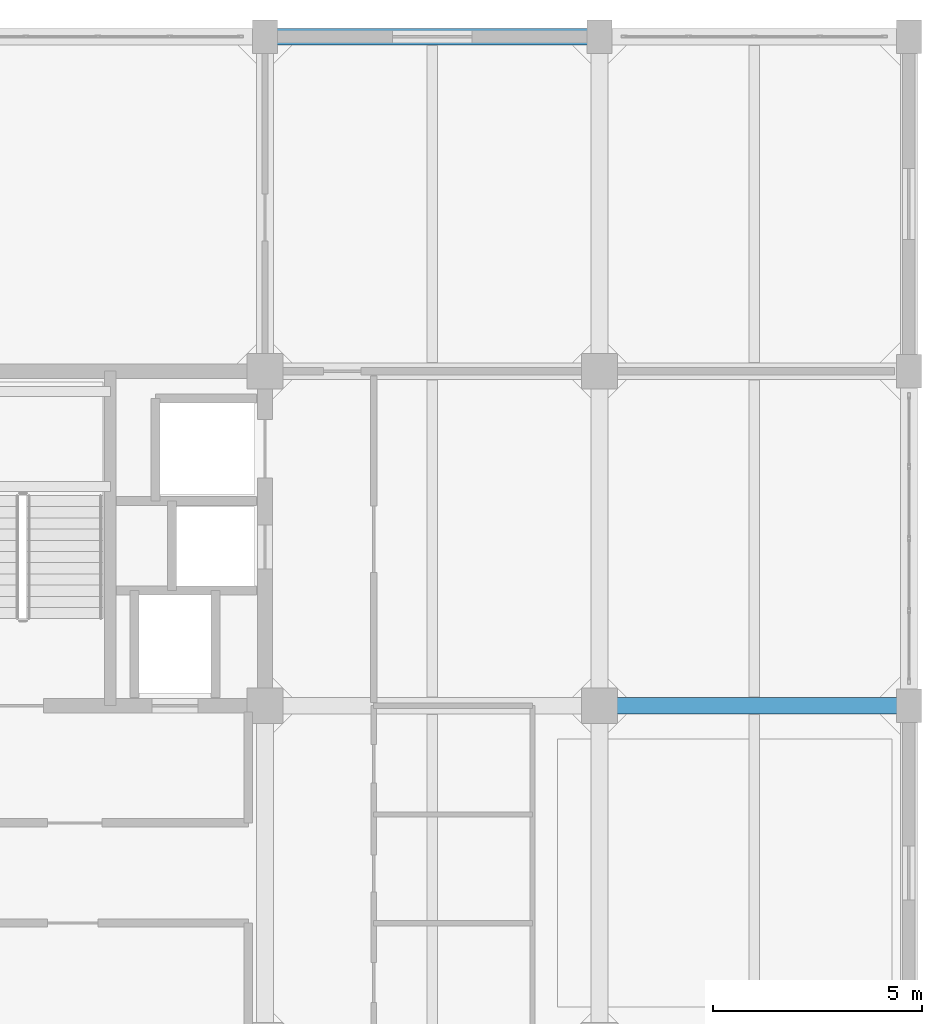
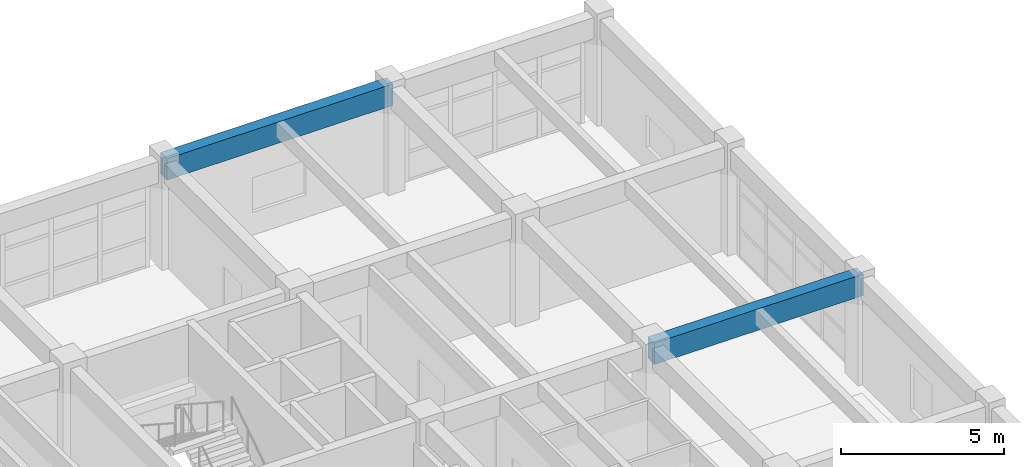
# One storey, part 16 of 27: 2 beams.
"""IFC4 building model written with IfcOpenShell, lengths in metres."""

import ifcopenshell
import ifcopenshell.guid

model = None  # the IFC model being written
_history = None  # IfcOwnerHistory: only IFC2X3 demands one
_inside = {}  # id of a spatial element -> (the spatial element, [elements in it])
_under = {}  # id of a project, library or spatial element -> (it, [spatial elements below it])
_declared = {}  # id of a project -> (the project, [libraries it declares])
_typed = {}  # id of a type object -> (the type object, [elements of that type])
_made_of = {}  # id of a material, layer set ... -> (it, [elements and type objects made of it])


def new_model(schema):
    """Start an empty IFC model of exactly this schema.

    Asked for "IFC4X3", IfcOpenShell would pick the latest addendum, in which some entities
    have other attributes; the version numbers below select the first issue.
    IFC2X3 requires an IfcOwnerHistory on every rooted entity: one is made here for all.
    """
    global model, _history
    if schema == "IFC4X3":
        model = ifcopenshell.file(schema_version=(4, 3, 0, 0))
    else:
        model = ifcopenshell.file(schema=schema)
    _inside.clear()
    _under.clear()
    _declared.clear()
    _typed.clear()
    _made_of.clear()
    _history = None
    if model.schema == "IFC2X3":
        org = make("IfcOrganization", Name="unknown")
        user = make(
            "IfcPersonAndOrganization",
            ThePerson=make("IfcPerson", FamilyName="unknown"),
            TheOrganization=org,
        )
        app = make(
            "IfcApplication",
            ApplicationDeveloper=org,
            Version="unknown",
            ApplicationFullName="unknown",
            ApplicationIdentifier="unknown",
        )
        _history = make(
            "IfcOwnerHistory",
            OwningUser=user,
            OwningApplication=app,
            ChangeAction="ADDED",
            CreationDate=0,
        )
    return model


def make(cls, **values):
    """One entity of the class cls with the attributes given. An attribute that is None is left unset."""
    return model.create_entity(
        cls, **{name: value for name, value in values.items() if value is not None}
    )


def rooted(cls, **values):
    """An entity with a GlobalId (a new one), such as an element, a storey or a relation."""
    return make(cls, GlobalId=ifcopenshell.guid.new(), OwnerHistory=_history, **values)


def si_unit(unit_type, name, prefix=None):
    """IfcSIUnit, for example si_unit("LENGTHUNIT", "METRE", prefix="MILLI")."""
    return make("IfcSIUnit", UnitType=unit_type, Prefix=prefix, Name=name)


def assignment(units):
    """IfcUnitAssignment: the units of a project."""
    return None if units is None else make("IfcUnitAssignment", Units=units)


def point(xyz):
    """IfcCartesianPoint."""
    return None if xyz is None else make("IfcCartesianPoint", Coordinates=xyz)


def direction(xyz):
    """IfcDirection."""
    return None if xyz is None else make("IfcDirection", DirectionRatios=xyz)


def frame(location, z_axis=None, x_axis=None):
    """IfcAxis2Placement3D, a coordinate frame: its origin and axes. An axis left out is left unset."""
    return make(
        "IfcAxis2Placement3D",
        Location=point(location),
        Axis=direction(z_axis),
        RefDirection=direction(x_axis),
    )


def frame_2d(location, x_axis=None):
    """IfcAxis2Placement2D, a coordinate frame in the plane: its origin and x axis."""
    return make(
        "IfcAxis2Placement2D", Location=point(location), RefDirection=direction(x_axis)
    )


def origin():
    """The frame at (0, 0, 0) with its axes left unset."""
    return frame((0.0, 0.0, 0.0))


def origin_2d():
    """The frame at (0, 0) in the plane with its x axis left unset."""
    return frame_2d((0.0, 0.0))


def place(relative_to, where):
    """IfcLocalPlacement: puts the frame where relative to a parent placement (None: the world)."""
    return make(
        "IfcLocalPlacement", PlacementRelTo=relative_to, RelativePlacement=where
    )


def context(
    kind, dimensions, precision=None, world=None, true_north=None, identifier=None
):
    """IfcGeometricRepresentationContext, for example the 3D "Model" context."""
    return make(
        "IfcGeometricRepresentationContext",
        ContextIdentifier=identifier,
        ContextType=kind,
        CoordinateSpaceDimension=dimensions,
        Precision=precision,
        WorldCoordinateSystem=world,
        TrueNorth=true_north,
    )


def subcontext(parent, identifier, kind, view, scale=None):
    """IfcGeometricRepresentationSubContext, for example "Body" below "Model"."""
    return make(
        "IfcGeometricRepresentationSubContext",
        ContextIdentifier=identifier,
        ContextType=kind,
        ParentContext=parent,
        TargetScale=scale,
        TargetView=view,
    )


def project(units=None, contexts=None):
    """IfcProject with its units and contexts."""
    return rooted(
        "IfcProject",
        Name="project",
        RepresentationContexts=contexts,
        UnitsInContext=assignment(units),
    )


def spatial(cls, under=None, at=None, **own):
    """A site, building, storey or space (cls), placed at a placement, below another one or the project."""
    s = rooted(cls, ObjectPlacement=at, **own)
    if under is not None:
        _under.setdefault(under.id(), (under, []))[1].append(s)
    return s


def profile(cls, at=None, kind="AREA", **sizes):
    """A parametric profile (cls). Its sizes go by their IFC names, for example OverallWidth=200.0."""
    return make(cls, ProfileType=kind, Position=at, **sizes)


def rectangle(**sizes):
    """IfcRectangleProfileDef."""
    return profile("IfcRectangleProfileDef", **sizes)


def extrude(swept, where, along, depth):
    """IfcExtrudedAreaSolid: the profile swept, set in the frame where, extruded along a direction by depth."""
    return make(
        "IfcExtrudedAreaSolid",
        SweptArea=swept,
        Position=where,
        ExtrudedDirection=direction(along),
        Depth=depth,
    )


def shape(context_of_items, identifier, shape_type, items):
    """IfcShapeRepresentation: the items that make up one representation, for example the "Body"."""
    return make(
        "IfcShapeRepresentation",
        ContextOfItems=context_of_items,
        RepresentationIdentifier=identifier,
        RepresentationType=shape_type,
        Items=items,
    )


def material(Name=None, Category=None):
    """IfcMaterial."""
    return make("IfcMaterial", Name=Name, Category=Category)


def material_profile(
    of_material, cross_section, Name=None, Category=None, Priority=None
):
    """IfcMaterialProfile: a cross section and its material."""
    return make(
        "IfcMaterialProfile",
        Name=Name,
        Material=of_material,
        Profile=cross_section,
        Priority=Priority,
        Category=Category,
    )


def profile_set(profiles, Name=None, composite=None):
    """IfcMaterialProfileSet."""
    return make(
        "IfcMaterialProfileSet",
        Name=Name,
        MaterialProfiles=profiles,
        CompositeProfile=composite,
    )


def made_of(thing, what):
    """Note that an element or type object is made of a material, layer set ...; save() writes the relation."""
    if what is not None:
        _made_of.setdefault(what.id(), (what, []))[1].append(thing)
    return thing


def type_object(cls, material=None, **own):
    """A type object (cls), such as IfcWallType, which elements share."""
    return made_of(rooted(cls, **own), material)


def element(
    cls,
    number,
    at=None,
    inside=None,
    cuts=None,
    type_object=None,
    material=None,
    context=None,
    identifier="Body",
    shape_type=None,
    held_by="IfcProductDefinitionShape",
    body=None,
    shapes=None,
    **own,
):
    """One element of the class cls, such as IfcWall. Its Tag is "e" and its number.

    at: its placement. inside: the storey or other place that contains it. cuts: it is an
    opening in that element (IfcRelVoidsElement). A single representation is given by context,
    identifier, shape_type and body (its items); several are given by shapes. held_by: the class
    of the entity that holds the representations. save() writes the other relations.
    """
    e = rooted(cls, Tag="e%d" % number, ObjectPlacement=at, **own)
    if body is not None:
        shapes = [shape(context, identifier, shape_type, body)]
    if shapes is not None:
        e.Representation = make(held_by, Representations=shapes)
    if inside is not None:
        _inside.setdefault(inside.id(), (inside, []))[1].append(e)
    if cuts is not None:
        rooted(
            "IfcRelVoidsElement", RelatingBuildingElement=cuts, RelatedOpeningElement=e
        )
    if type_object is not None:
        _typed.setdefault(type_object.id(), (type_object, []))[1].append(e)
    return made_of(e, material)


def aggregate(whole, parts):
    """IfcRelAggregates: a whole, such as a stair, and the parts it consists of."""
    return rooted("IfcRelAggregates", RelatingObject=whole, RelatedObjects=parts)


def save(model, path):
    """Write the relations noted so far, then the file.

    IfcRelAggregates (storeys below a building ...), IfcRelContainedInSpatialStructure (elements
    in a storey), IfcRelDefinesByType, IfcRelAssociatesMaterial and IfcRelDeclares: one each for
    every whole, place, type object, material and project.
    """
    for whole, parts in _under.values():
        aggregate(whole, parts)
    for where, things in _inside.values():
        rooted(
            "IfcRelContainedInSpatialStructure",
            RelatedElements=things,
            RelatingStructure=where,
        )
    for kind, things in _typed.values():
        rooted("IfcRelDefinesByType", RelatedObjects=things, RelatingType=kind)
    for what, things in _made_of.values():
        rooted("IfcRelAssociatesMaterial", RelatedObjects=things, RelatingMaterial=what)
    for by, libraries in _declared.values():
        rooted("IfcRelDeclares", RelatingContext=by, RelatedDefinitions=libraries)
    model.write(path)


model = new_model("IFC4")

# Units and contexts
model_context = context("Model", 3, precision=1e-05, world=origin(), true_north=direction((0.0, 1.0)))
body_context = subcontext(model_context, "Body", "Model", "MODEL_VIEW")
ifc_project = project(units=[si_unit("LENGTHUNIT", "METRE"), si_unit("AREAUNIT", "SQUARE_METRE"), si_unit("VOLUMEUNIT", "CUBIC_METRE"), si_unit("PLANEANGLEUNIT", "RADIAN"), si_unit("MASSUNIT", "GRAM", prefix="KILO")], contexts=[model_context])

# Site, building, storey
site_placement = place(None, origin())
site = spatial("IfcSite", under=ifc_project, at=site_placement, CompositionType="ELEMENT")
building_placement = place(site_placement, origin())
building = spatial("IfcBuilding", under=site, at=building_placement, Name="Canggui Botanical Conservatory", CompositionType="ELEMENT")
storey_placement = place(building_placement, frame((0.0, 0.0, 23.39990234375)))
storey = spatial("IfcBuildingStorey", under=building, at=storey_placement, Name="L06", CompositionType="ELEMENT", Elevation=23.39990234375)

# Beams
ifc_material = material(Name="Concrete C35", Category="concrete")
ifc_material_profile = material_profile(ifc_material, rectangle(XDim=0.39990234375, YDim=0.800048828125, at=origin_2d()), Name="RB 400x800")
ifc_profile_set = profile_set([ifc_material_profile], Name="Concrete C35")
beam_type = type_object("IfcBeamType", Name="BM-KL09", PredefinedType="BEAM", material=ifc_profile_set)
beam_1_placement = place(storey_placement, frame((170.0, 58.0, 3.56005859375), z_axis=(1.0, 0.0, 0.0), x_axis=(0.0, 1.0, 0.0)))
element("IfcBeam", 1, at=beam_1_placement, inside=storey, type_object=beam_type, Name="Frame Girder L06 Y58-5", PredefinedType="BEAM", context=body_context, shape_type="SweptSolid", body=[
    extrude(rectangle(XDim=0.39990234375, YDim=0.800048828125, at=origin_2d()), origin(), (0.0, 0.0, 1.0), 7.39990234375),
])
beam_2_placement = place(storey_placement, frame((162.0, 74.0, 3.56005859375), z_axis=(1.0, 0.0, 0.0), x_axis=(0.0, 1.0, 0.0)))
element("IfcBeam", 2, at=beam_2_placement, inside=storey, type_object=beam_type, Name="Frame Girder L06 Y74-4", PredefinedType="BEAM", context=body_context, shape_type="SweptSolid", body=[
    extrude(rectangle(XDim=0.39990234375, YDim=0.800048828125, at=origin_2d()), origin(), (0.0, 0.0, 1.0), 8.0),
])

save(model, "model.ifc")
